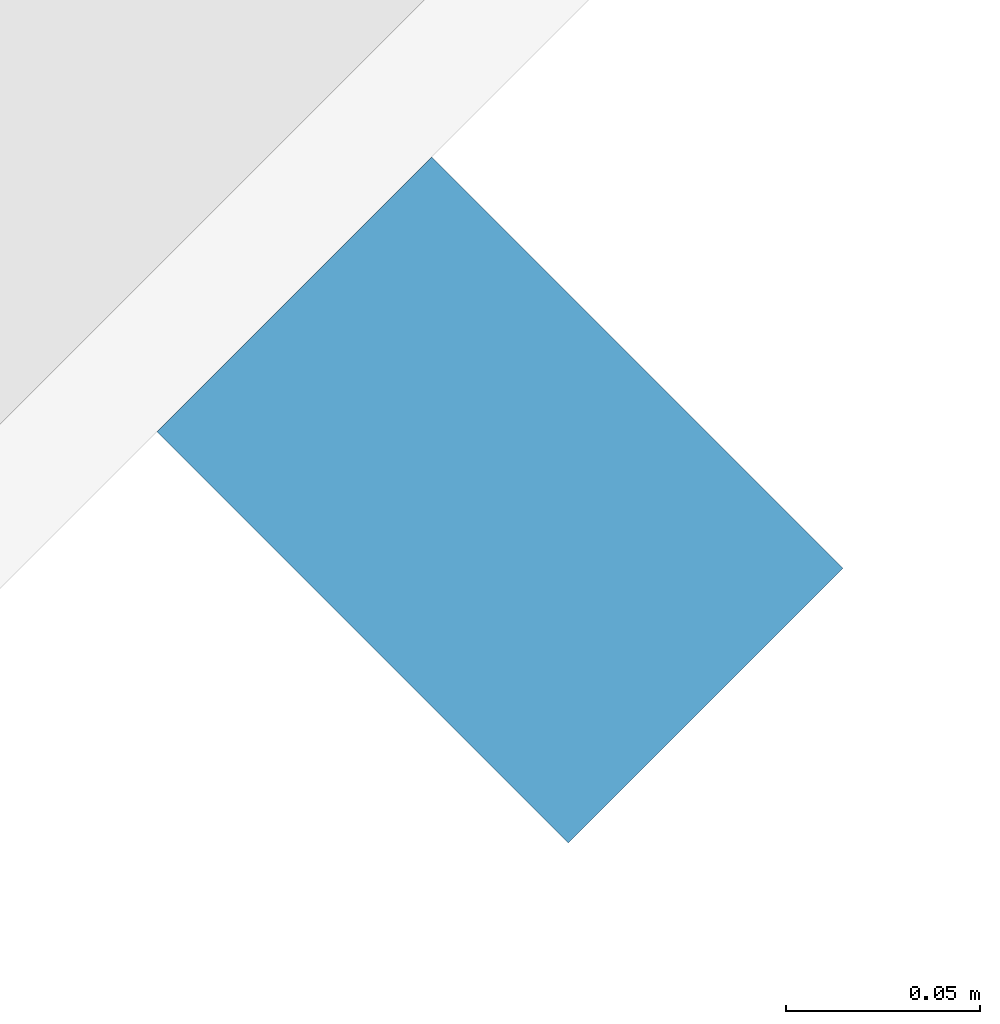
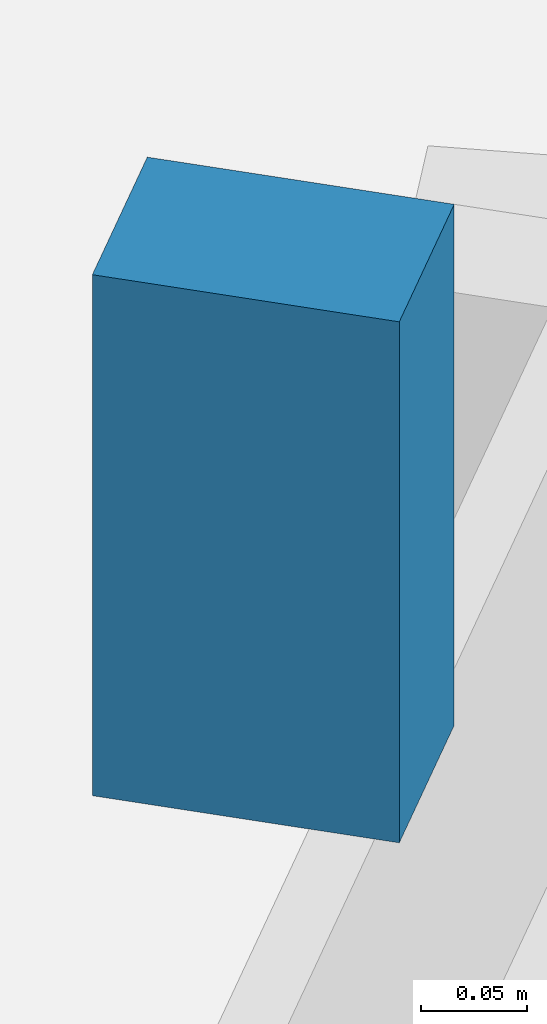
# One storey, part 9 of 27: 1 discrete accessory.
"""IFC4 building model written with IfcOpenShell, lengths in metres."""

from ifc_helpers import new_model, si_unit, direction, frame, origin, origin_2d, place, context, subcontext, project, spatial, rectangle, extrude, material, type_object, element, save


model = new_model("IFC4")

# Units and contexts
model_context = context("Model", 3, precision=1e-05, world=origin(), true_north=direction((0.0, 1.0)))
body_context = subcontext(model_context, "Body", "Model", "MODEL_VIEW")
ifc_project = project(units=[si_unit("LENGTHUNIT", "METRE"), si_unit("AREAUNIT", "SQUARE_METRE"), si_unit("VOLUMEUNIT", "CUBIC_METRE"), si_unit("PLANEANGLEUNIT", "RADIAN"), si_unit("MASSUNIT", "GRAM", prefix="KILO")], contexts=[model_context])

# Site, building, storey
site_placement = place(None, origin())
site = spatial("IfcSite", under=ifc_project, at=site_placement, CompositionType="ELEMENT")
building_placement = place(site_placement, origin())
building = spatial("IfcBuilding", under=site, at=building_placement, Name="Qamariyya Broadcast Tower", CompositionType="ELEMENT")
storey_placement = place(building_placement, frame((0.0, 0.0, 175.89990234375)))
storey = spatial("IfcBuildingStorey", under=building, at=storey_placement, Name="L41", CompositionType="ELEMENT", Elevation=175.89990234375)

# Discrete accessory
ifc_material = material(Name="Stainless steel 316", Category="steel")
discrete_accessory_type = type_object("IfcDiscreteAccessoryType", Name="Slab edge fixing angle, stainless steel", PredefinedType="BRACKET", material=ifc_material)
discrete_accessory_placement = place(storey_placement, frame((58.534912109375, -53.0546875, 3.30029296875), z_axis=(0.0, 0.0, 1.0), x_axis=(0.707106781187, 0.707106781187, 0.0)))
element("IfcDiscreteAccessory", 1, at=discrete_accessory_placement, inside=storey, type_object=discrete_accessory_type, Name="e-br-L41-13-0", PredefinedType="BRACKET", context=body_context, shape_type="SweptSolid", body=[
    extrude(rectangle(XDim=0.10009765625, YDim=0.14990234375, at=origin_2d()), origin(), (0.0, 0.0, 1.0), 0.300048828125),
])

save(model, "model.ifc")
